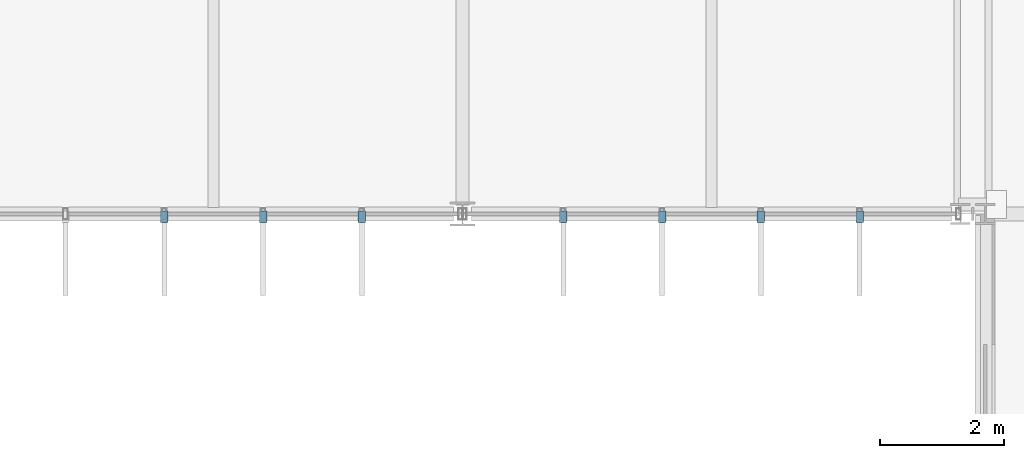
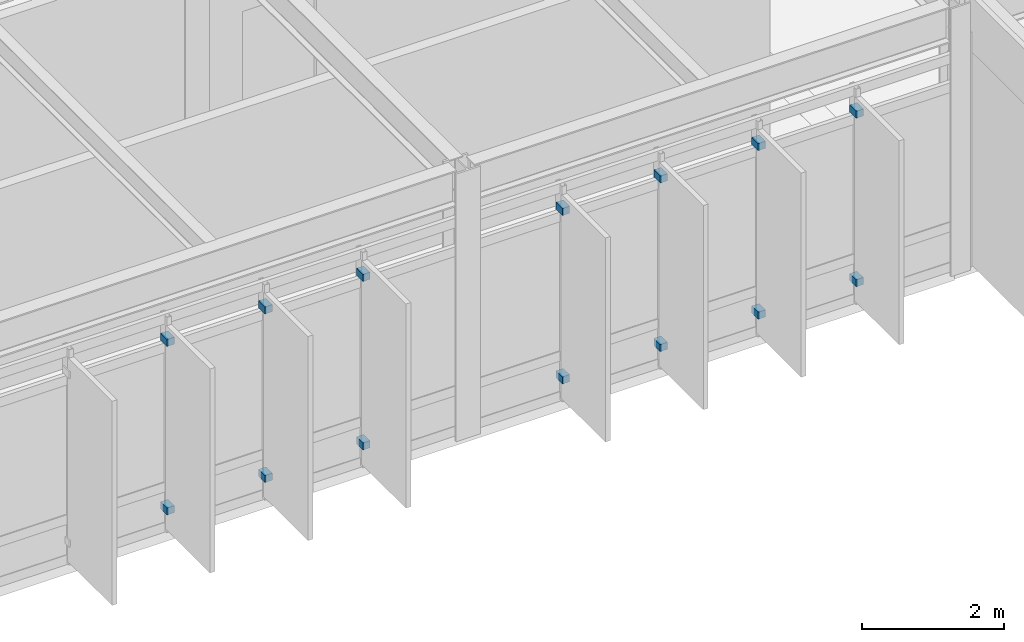
# One storey, part 94 of 104: 14 discrete accessories.
"""IFC4 building model written with IfcOpenShell, lengths in metres."""

from ifc_helpers import new_model, si_unit, direction, frame, origin, origin_2d, place, context, subcontext, project, spatial, rectangle, extrude, material, layer, layer_set, type_object, element, save


model = new_model("IFC4")

# Units and contexts
model_context = context("Model", 3, precision=1e-05, world=origin(), true_north=direction((0.0, 1.0)))
body_context = subcontext(model_context, "Body", "Model", "MODEL_VIEW")
ifc_project = project(units=[si_unit("LENGTHUNIT", "METRE"), si_unit("AREAUNIT", "SQUARE_METRE"), si_unit("VOLUMEUNIT", "CUBIC_METRE"), si_unit("PLANEANGLEUNIT", "RADIAN"), si_unit("MASSUNIT", "GRAM", prefix="KILO")], contexts=[model_context])

# Site, building, storey
site_placement = place(None, origin())
site = spatial("IfcSite", under=ifc_project, at=site_placement, CompositionType="ELEMENT")
building_placement = place(site_placement, origin())
building = spatial("IfcBuilding", under=site, at=building_placement, Name="Zulena Civic Courthouse", CompositionType="ELEMENT")
storey_placement = place(building_placement, frame((0.0, 0.0, 10.800048828125)))
storey = spatial("IfcBuildingStorey", under=building, at=storey_placement, Name="L02", CompositionType="ELEMENT", Elevation=10.800048828125)

# Discrete accessories
ifc_material = material(Name="Gold anodised architectural aluminium AA6063-T6", Category="aluminium")
ifc_layer = layer(ifc_material, 0.1201171875)
ifc_layer_set = layer_set([ifc_layer], Name="Gold anodised architectural aluminium AA6063-T6")
discrete_accessory_type = type_object("IfcDiscreteAccessoryType", Name="FinOutriggerBracket", PredefinedType="BRACKET", material=ifc_layer_set)
for number, where, z_axis, x_axis, name in (
    (1, (122.382080078125, 15.155029296875, 0.33984375), (0.0, 0.0, 1.0), (0.0, -1.0, 0.0), "brk:V4:L02:3:0:1:11.20"),
    (2, (122.382080078125, 15.155029296875, 3.22998046875), (0.0, 0.0, 1.0), (0.0, -1.0, 0.0), "brk:V4:L02:3:0:1:14.09"),
    (3, (120.7939453125, 15.155029296875, 0.33984375), (0.0, 0.0, 1.0), (0.0, -1.0, 0.0), "brk:V4:L02:3:0:2:11.20"),
    (4, (120.7939453125, 15.155029296875, 3.22998046875), (0.0, 0.0, 1.0), (0.0, -1.0, 0.0), "brk:V4:L02:3:0:2:14.09"),
    (5, (119.2060546875, 15.155029296875, 0.33984375), (0.0, 0.0, 1.0), (0.0, -1.0, 0.0), "brk:V4:L02:3:0:3:11.20"),
    (6, (119.2060546875, 15.155029296875, 3.22998046875), (0.0, 0.0, 1.0), (0.0, -1.0, 0.0), "brk:V4:L02:3:0:3:14.09"),
    (7, (117.617919921875, 15.155029296875, 0.33984375), (0.0, 0.0, 1.0), (0.0, -1.0, 0.0), "brk:V4:L02:3:0:4:11.20"),
    (8, (117.617919921875, 15.155029296875, 3.22998046875), (0.0, 0.0, 1.0), (0.0, -1.0, 0.0), "brk:V4:L02:3:0:4:14.09"),
    (9, (114.382080078125, 15.155029296875, 0.33984375), (0.0, 0.0, 1.0), (0.0, -1.0, 0.0), "brk:V4:L02:3:1:1:11.20"),
    (10, (114.382080078125, 15.155029296875, 3.22998046875), (0.0, 0.0, 1.0), (0.0, -1.0, 0.0), "brk:V4:L02:3:1:1:14.09"),
    (11, (112.7939453125, 15.155029296875, 0.33984375), (0.0, 0.0, 1.0), (0.0, -1.0, 0.0), "brk:V4:L02:3:1:2:11.20"),
    (12, (112.7939453125, 15.155029296875, 3.22998046875), (0.0, 0.0, 1.0), (0.0, -1.0, 0.0), "brk:V4:L02:3:1:2:14.09"),
    (13, (111.2060546875, 15.155029296875, 0.33984375), (0.0, 0.0, 1.0), (0.0, -1.0, 0.0), "brk:V4:L02:3:1:3:11.20"),
    (14, (111.2060546875, 15.155029296875, 3.22998046875), (0.0, 0.0, 1.0), (0.0, -1.0, 0.0), "brk:V4:L02:3:1:3:14.09"),
):
    element("IfcDiscreteAccessory", number, at=place(storey_placement, frame(where, z_axis=z_axis, x_axis=x_axis)), inside=storey, type_object=discrete_accessory_type, Name=name, PredefinedType="BRACKET", context=body_context, shape_type="SweptSolid", body=[
        extrude(rectangle(XDim=0.179931640625, YDim=0.1201171875, at=origin_2d()), origin(), (0.0, 0.0, 1.0), 0.1201171875),
    ])

save(model, "model.ifc")
